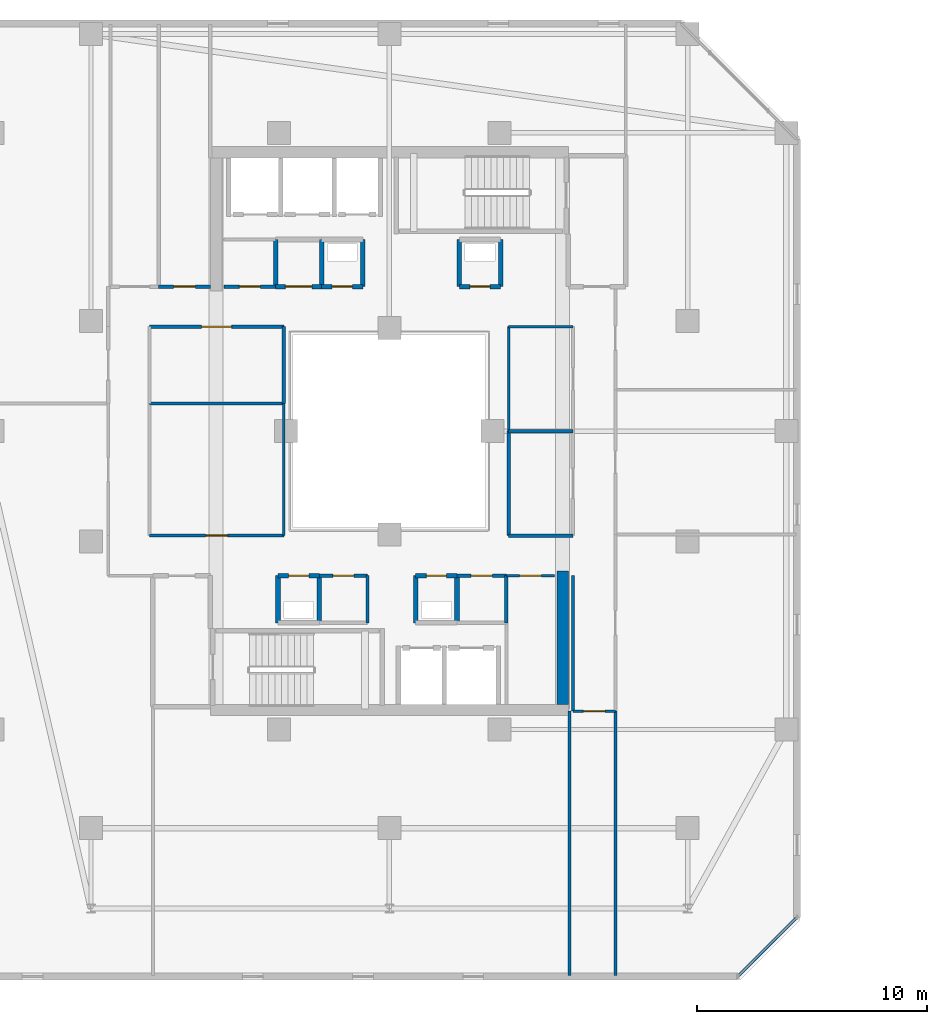
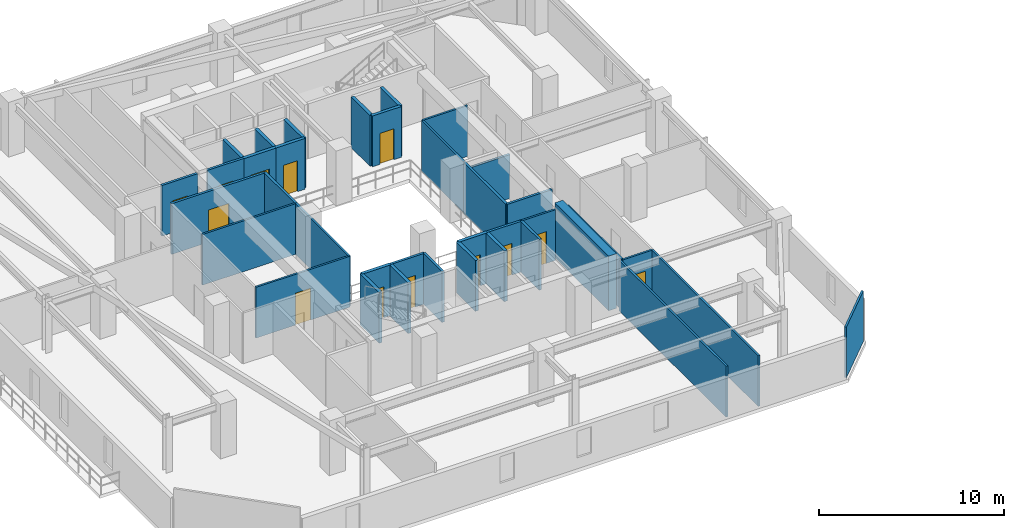
# One storey, part 19 of 32: 37 walls, 13 doors, 13 openings.
"""IFC4 building model written with IfcOpenShell, lengths in metres."""

from ifc_helpers import new_model, si_unit, direction, frame, frame_2d, origin, place, context, subcontext, project, spatial, rectangle, extrude, material, layer, layer_set, type_object, element, fill, save


model = new_model("IFC4")

# Units and contexts
model_context = context("Model", 3, precision=1e-05, world=origin(), true_north=direction((0.0, 1.0)))
body_context = subcontext(model_context, "Body", "Model", "MODEL_VIEW")
ifc_project = project(units=[si_unit("LENGTHUNIT", "METRE"), si_unit("AREAUNIT", "SQUARE_METRE"), si_unit("VOLUMEUNIT", "CUBIC_METRE"), si_unit("PLANEANGLEUNIT", "RADIAN"), si_unit("MASSUNIT", "GRAM", prefix="KILO")], contexts=[model_context])

# Site, building, storey
site_placement = place(None, origin())
site = spatial("IfcSite", under=ifc_project, at=site_placement, CompositionType="ELEMENT")
building_placement = place(site_placement, origin())
building = spatial("IfcBuilding", under=site, at=building_placement, Name="Thornwick Lancets Civic Towers", CompositionType="ELEMENT")
storey_placement = place(building_placement, frame((0.0, 0.0, 243.89990234375)))
storey = spatial("IfcBuildingStorey", under=building, at=storey_placement, Name="L65", CompositionType="ELEMENT", Elevation=243.89990234375)

# Wall
ifc_material_1 = material(Name="Concrete blockwork C40/50", Category="masonry")
ifc_layer_1 = layer(ifc_material_1, 0.199951171875, Name="Concrete blockwork C40/50")
ifc_layer_set_1 = layer_set([ifc_layer_1], Name="Concrete blockwork C40/50")
wall_type_1 = type_object("IfcWallType", Name="WALL_COMP_200", PredefinedType="STANDARD", material=ifc_layer_set_1)
wall_1_placement = place(storey_placement, frame((28.449951171875, 18.64990234375, 0.0), z_axis=(0.0, 0.0, 1.0), x_axis=(0.0, 1.0, 0.0)))
element("IfcWall", 1, at=wall_1_placement, inside=storey, type_object=wall_type_1, Name="L65 Partition L65-A-DUCT1 E2", PredefinedType="STANDARD", context=body_context, shape_type="SweptSolid", body=[
    extrude(rectangle(XDim=2.050048828125, YDim=0.199951171875, at=frame_2d((1.02490234375, 0.0))), origin(), (0.0, 0.0, 1.0), 3.340087890625),
])

# Wall, opening, door
wall_2_placement = place(storey_placement, frame((28.449951171875, 20.699951171875, 0.0), z_axis=(0.0, 0.0, 1.0), x_axis=(-1.0, 0.0, 0.0)))
wall_2 = element("IfcWall", 2, at=wall_2_placement, inside=storey, type_object=wall_type_1, Name="L65 Partition L65-A-DUCT1 E3", PredefinedType="STANDARD", context=body_context, shape_type="SweptSolid", body=[
    extrude(rectangle(XDim=1.800048828125, YDim=0.199951171875, at=frame_2d((0.89990234375, 0.0))), origin(), (0.0, 0.0, 1.0), 3.340087890625),
])
opening_1_placement = place(wall_2_placement, frame((0.4599609375, 0.0, 0.0)))
opening_1 = element("IfcOpeningElement", 3, at=opening_1_placement, cuts=wall_2, Name="Opening D-L65-2925", PredefinedType="OPENING", context=body_context, shape_type="SweptSolid", body=[
    extrude(rectangle(XDim=0.8798828125, YDim=2.0400390625, at=frame_2d((0.43994140625, 1.02001953125))), frame((0.0, 0.10986328125, 0.0), z_axis=(0.0, -1.0, 0.0), x_axis=(1.0, 0.0, 0.0)), (0.0, 0.0, 1.0), 0.219970703125),
])
ifc_material_2 = material(Name="Steel riser access doorset", Category="steel")
door_type_1 = type_object("IfcDoorType", Name="DOOR_RISER_850", OperationType="NOTDEFINED", PredefinedType="DOOR", material=ifc_material_2)
door_1_placement = place(opening_1_placement, origin())
door_1 = element("IfcDoor", 4, at=door_1_placement, inside=storey, type_object=door_type_1, Name="L65 South Service Duct 1 Door", OperationType="SINGLE_SWING_RIGHT", OverallHeight=2.0400390625, OverallWidth=0.8798828125, PredefinedType="DOOR", context=body_context, shape_type="SweptSolid", body=[
    extrude(rectangle(XDim=0.8798828125, YDim=2.0400390625, at=frame_2d((0.43994140625, 1.02001953125))), frame((0.0, 0.02490234375, 0.0), z_axis=(0.0, -1.0, 0.0), x_axis=(1.0, 0.0, 0.0)), (0.0, 0.0, 1.0), 0.050048828125),
])
fill(opening_1, door_1)

# Walls
for number, where, z_axis, x_axis, name in (
    (5, (26.64990234375, 20.699951171875, 0.0), (0.0, 0.0, 1.0), (0.0, -1.0, 0.0), "L65 Partition L65-A-DUCT1 E4"),
    (6, (22.449951171875, 18.64990234375, 0.0), (0.0, 0.0, 1.0), (0.0, 1.0, 0.0), "L65 Partition L65-A-RISER1 E2"),
):
    element("IfcWall", number, at=place(storey_placement, frame(where, z_axis=z_axis, x_axis=x_axis)), inside=storey, type_object=wall_type_1, Name=name, PredefinedType="STANDARD", context=body_context, shape_type="SweptSolid", body=[
        extrude(rectangle(XDim=2.050048828125, YDim=0.199951171875, at=frame_2d((1.02490234375, 0.0))), origin(), (0.0, 0.0, 1.0), 3.340087890625),
    ])

# Wall, opening, door
wall_3_placement = place(storey_placement, frame((22.449951171875, 20.699951171875, 0.0), z_axis=(0.0, 0.0, 1.0), x_axis=(-1.0, 0.0, 0.0)))
wall_3 = element("IfcWall", 7, at=wall_3_placement, inside=storey, type_object=wall_type_1, Name="L65 Partition L65-A-RISER1 E3", PredefinedType="STANDARD", context=body_context, shape_type="SweptSolid", body=[
    extrude(rectangle(XDim=1.800048828125, YDim=0.199951171875, at=frame_2d((0.89990234375, 0.0))), origin(), (0.0, 0.0, 1.0), 3.340087890625),
])
opening_2_placement = place(wall_3_placement, frame((0.4599609375, 0.0, 0.0)))
opening_2 = element("IfcOpeningElement", 8, at=opening_2_placement, cuts=wall_3, Name="Opening D-L65-2926", PredefinedType="OPENING", context=body_context, shape_type="SweptSolid", body=[
    extrude(rectangle(XDim=0.8798828125, YDim=2.0400390625, at=frame_2d((0.43994140625, 1.02001953125))), frame((0.0, 0.10986328125, 0.0), z_axis=(0.0, -1.0, 0.0), x_axis=(1.0, 0.0, 0.0)), (0.0, 0.0, 1.0), 0.219970703125),
])
door_2_placement = place(opening_2_placement, origin())
door_2 = element("IfcDoor", 9, at=door_2_placement, inside=storey, type_object=door_type_1, Name="L65 South Electrical Riser 1 Door", OperationType="SINGLE_SWING_LEFT", OverallHeight=2.0400390625, OverallWidth=0.8798828125, PredefinedType="DOOR", context=body_context, shape_type="SweptSolid", body=[
    extrude(rectangle(XDim=0.8798828125, YDim=2.0400390625, at=frame_2d((0.43994140625, 1.02001953125))), frame((0.0, 0.02490234375, 0.0), z_axis=(0.0, -1.0, 0.0), x_axis=(1.0, 0.0, 0.0)), (0.0, 0.0, 1.0), 0.050048828125),
])
fill(opening_2, door_2)

# Wall
wall_4_placement = place(storey_placement, frame((20.64990234375, 20.699951171875, 0.0), z_axis=(0.0, 0.0, 1.0), x_axis=(0.0, -1.0, 0.0)))
element("IfcWall", 10, at=wall_4_placement, inside=storey, type_object=wall_type_1, Name="L65 Partition L65-A-RISER1 E4", PredefinedType="STANDARD", context=body_context, shape_type="SweptSolid", body=[
    extrude(rectangle(XDim=2.050048828125, YDim=0.199951171875, at=frame_2d((1.02490234375, 0.0))), origin(), (0.0, 0.0, 1.0), 3.340087890625),
])

# Wall, opening, door
wall_5_placement = place(storey_placement, frame((22.550048828125, 33.300048828125, 0.0), z_axis=(0.0, 0.0, 1.0), x_axis=(1.0, 0.0, 0.0)))
wall_5 = element("IfcWall", 11, at=wall_5_placement, inside=storey, type_object=wall_type_1, Name="L65 Partition L65-A-DUCT2 E1", PredefinedType="STANDARD", context=body_context, shape_type="SweptSolid", body=[
    extrude(rectangle(XDim=1.800048828125, YDim=0.199951171875, at=frame_2d((0.89990234375, 0.0))), origin(), (0.0, 0.0, 1.0), 3.340087890625),
])
opening_3_placement = place(wall_5_placement, frame((0.4599609375, 0.0, 0.0)))
opening_3 = element("IfcOpeningElement", 12, at=opening_3_placement, cuts=wall_5, Name="Opening D-L65-2927", PredefinedType="OPENING", context=body_context, shape_type="SweptSolid", body=[
    extrude(rectangle(XDim=0.8798828125, YDim=2.0400390625, at=frame_2d((0.43994140625, 1.02001953125))), frame((0.0, 0.10986328125, 0.0), z_axis=(0.0, -1.0, 0.0), x_axis=(1.0, 0.0, 0.0)), (0.0, 0.0, 1.0), 0.219970703125),
])
door_3_placement = place(opening_3_placement, origin())
door_3 = element("IfcDoor", 13, at=door_3_placement, inside=storey, type_object=door_type_1, Name="L65 North Service Duct 2 Door", OperationType="SINGLE_SWING_RIGHT", OverallHeight=2.0400390625, OverallWidth=0.8798828125, PredefinedType="DOOR", context=body_context, shape_type="SweptSolid", body=[
    extrude(rectangle(XDim=0.8798828125, YDim=2.0400390625, at=frame_2d((0.43994140625, 1.02001953125))), frame((0.0, 0.02490234375, 0.0), z_axis=(0.0, -1.0, 0.0), x_axis=(1.0, 0.0, 0.0)), (0.0, 0.0, 1.0), 0.050048828125),
])
fill(opening_3, door_3)

# Walls
for number, where, z_axis, x_axis, name in (
    (14, (24.35009765625, 33.300048828125, 0.0), (0.0, 0.0, 1.0), (0.0, 1.0, 0.0), "L65 Partition L65-A-DUCT2 E2"),
    (15, (22.550048828125, 35.35009765625, 0.0), (0.0, 0.0, 1.0), (0.0, -1.0, 0.0), "L65 Partition L65-A-DUCT2 E4"),
):
    element("IfcWall", number, at=place(storey_placement, frame(where, z_axis=z_axis, x_axis=x_axis)), inside=storey, type_object=wall_type_1, Name=name, PredefinedType="STANDARD", context=body_context, shape_type="SweptSolid", body=[
        extrude(rectangle(XDim=2.050048828125, YDim=0.199951171875, at=frame_2d((1.02490234375, 0.0))), origin(), (0.0, 0.0, 1.0), 3.340087890625),
    ])

# Wall, opening, door
wall_6_placement = place(storey_placement, frame((28.550048828125, 33.300048828125, 0.0), z_axis=(0.0, 0.0, 1.0), x_axis=(1.0, 0.0, 0.0)))
wall_6 = element("IfcWall", 16, at=wall_6_placement, inside=storey, type_object=wall_type_1, Name="L65 Partition L65-A-RISER2 E1", PredefinedType="STANDARD", context=body_context, shape_type="SweptSolid", body=[
    extrude(rectangle(XDim=1.800048828125, YDim=0.199951171875, at=frame_2d((0.89990234375, 0.0))), origin(), (0.0, 0.0, 1.0), 3.340087890625),
])
opening_4_placement = place(wall_6_placement, frame((0.4599609375, 0.0, 0.0)))
opening_4 = element("IfcOpeningElement", 17, at=opening_4_placement, cuts=wall_6, Name="Opening D-L65-2928", PredefinedType="OPENING", context=body_context, shape_type="SweptSolid", body=[
    extrude(rectangle(XDim=0.8798828125, YDim=2.0400390625, at=frame_2d((0.43994140625, 1.02001953125))), frame((0.0, 0.10986328125, 0.0), z_axis=(0.0, -1.0, 0.0), x_axis=(1.0, 0.0, 0.0)), (0.0, 0.0, 1.0), 0.219970703125),
])
door_4_placement = place(opening_4_placement, origin())
door_4 = element("IfcDoor", 18, at=door_4_placement, inside=storey, type_object=door_type_1, Name="L65 North Service Riser 2 Door", OperationType="SINGLE_SWING_LEFT", OverallHeight=2.0400390625, OverallWidth=0.8798828125, PredefinedType="DOOR", context=body_context, shape_type="SweptSolid", body=[
    extrude(rectangle(XDim=0.8798828125, YDim=2.0400390625, at=frame_2d((0.43994140625, 1.02001953125))), frame((0.0, 0.02490234375, 0.0), z_axis=(0.0, -1.0, 0.0), x_axis=(1.0, 0.0, 0.0)), (0.0, 0.0, 1.0), 0.050048828125),
])
fill(opening_4, door_4)

# Walls
for number, where, z_axis, x_axis, name in (
    (19, (30.35009765625, 33.300048828125, 0.0), (0.0, 0.0, 1.0), (0.0, 1.0, 0.0), "L65 Partition L65-A-RISER2 E2"),
    (20, (28.550048828125, 35.35009765625, 0.0), (0.0, 0.0, 1.0), (0.0, -1.0, 0.0), "L65 Partition L65-A-RISER2 E4"),
    (21, (20.550048828125, 33.300048828125, 0.0), (0.0, 0.0, 1.0), (0.0, 1.0, 0.0), "L65 Partition L65-A-STR E1"),
):
    element("IfcWall", number, at=place(storey_placement, frame(where, z_axis=z_axis, x_axis=x_axis)), inside=storey, type_object=wall_type_1, Name=name, PredefinedType="STANDARD", context=body_context, shape_type="SweptSolid", body=[
        extrude(rectangle(XDim=2.050048828125, YDim=0.199951171875, at=frame_2d((1.02490234375, 0.0))), origin(), (0.0, 0.0, 1.0), 3.340087890625),
    ])

# Wall, opening, door
wall_7_placement = place(storey_placement, frame((22.550048828125, 33.300048828125, 0.0), z_axis=(0.0, 0.0, 1.0), x_axis=(-1.0, 0.0, 0.0)))
wall_7 = element("IfcWall", 22, at=wall_7_placement, inside=storey, type_object=wall_type_1, Name="L65 Partition L65-A-STR E4", PredefinedType="STANDARD", context=body_context, shape_type="SweptSolid", body=[
    extrude(rectangle(XDim=2.0, YDim=0.199951171875, at=frame_2d((1.0, 0.0))), origin(), (0.0, 0.0, 1.0), 3.340087890625),
])
opening_5_placement = place(wall_7_placement, frame((0.425048828125, 0.0, 0.0)))
opening_5 = element("IfcOpeningElement", 23, at=opening_5_placement, cuts=wall_7, Name="Opening D-L65-2933", PredefinedType="OPENING", context=body_context, shape_type="SweptSolid", body=[
    extrude(rectangle(XDim=1.14990234375, YDim=2.10009765625, at=frame_2d((0.574951171875, 1.050048828125))), frame((0.0, 0.10986328125, 0.0), z_axis=(0.0, -1.0, 0.0), x_axis=(1.0, 0.0, 0.0)), (0.0, 0.0, 1.0), 0.219970703125),
])
ifc_material_3 = material(Name="Glazed fire-resisting steel", Category="steel")
door_type_2 = type_object("IfcDoorType", Name="DOOR_LOBBY_FD60", OperationType="NOTDEFINED", PredefinedType="DOOR", material=ifc_material_3)
door_5_placement = place(opening_5_placement, origin())
door_5 = element("IfcDoor", 24, at=door_5_placement, inside=storey, type_object=door_type_2, Name="L65 Tower A Core Records Store Door", OperationType="SINGLE_SWING_RIGHT", OverallHeight=2.10009765625, OverallWidth=1.14990234375, PredefinedType="DOOR", context=body_context, shape_type="SweptSolid", body=[
    extrude(rectangle(XDim=1.14990234375, YDim=2.10009765625, at=frame_2d((0.574951171875, 1.050048828125))), frame((0.0, 0.02490234375, 0.0), z_axis=(0.0, -1.0, 0.0), x_axis=(1.0, 0.0, 0.0)), (0.0, 0.0, 1.0), 0.050048828125),
])
fill(opening_5, door_5)

# Wall
ifc_material_4 = material(Name="Concrete C50/60", Category="concrete")
ifc_layer_2 = layer(ifc_material_4, 0.5, Name="Concrete C50/60")
ifc_layer_set_2 = layer_set([ifc_layer_2], Name="Concrete C50/60")
wall_type_2 = type_object("IfcWallType", Name="WALL_CORE_500", PredefinedType="SHEAR", material=ifc_layer_set_2)
wall_8_placement = place(storey_placement, frame((33.050048828125, 15.10009765625, 0.0), z_axis=(0.0, 0.0, 1.0), x_axis=(0.0, 1.0, 0.0)))
element("IfcWall", 25, at=wall_8_placement, inside=storey, type_object=wall_type_2, Name="L65 Split Core A1 Shear Wall E", PredefinedType="SHEAR", context=body_context, shape_type="SweptSolid", body=[
    extrude(rectangle(XDim=5.7998046875, YDim=0.5, at=frame_2d((2.89990234375, 0.0))), origin(), (0.0, 0.0, 1.0), 3.60009765625),
])

# Wall, opening, door
ifc_material_5 = material(Name="Acoustic gypsum board partition")
ifc_layer_3 = layer(ifc_material_5, 0.1201171875, Name="Acoustic gypsum board partition")
ifc_layer_set_3 = layer_set([ifc_layer_3], Name="Acoustic gypsum board partition")
wall_type_3 = type_object("IfcWallType", Name="WALL_PART_120", PredefinedType="PARTITIONING", material=ifc_layer_set_3)
wall_9_placement = place(storey_placement, frame((30.60009765625, 20.699951171875, 0.0), z_axis=(0.0, 0.0, 1.0), x_axis=(1.0, 0.0, 0.0)))
wall_9 = element("IfcWall", 26, at=wall_9_placement, inside=storey, type_object=wall_type_3, Name="L65 Partition L65-A-ITR E5", PredefinedType="PARTITIONING", context=body_context, shape_type="SweptSolid", body=[
    extrude(rectangle(XDim=2.099853515625, YDim=0.1201171875, at=frame_2d((1.0498046875, 0.0))), origin(), (0.0, 0.0, 1.0), 3.340087890625),
])
opening_6_placement = place(wall_9_placement, frame((0.574951171875, 0.0, 0.0)))
opening_6 = element("IfcOpeningElement", 27, at=opening_6_placement, cuts=wall_9, Name="Opening D-L65-2931", PredefinedType="OPENING", context=body_context, shape_type="SweptSolid", body=[
    extrude(rectangle(XDim=0.949951171875, YDim=2.10009765625, at=frame_2d((0.47509765625, 1.050048828125))), frame((0.0, 0.070068359375, 0.0), z_axis=(0.0, -1.0, 0.0), x_axis=(1.0, 0.0, 0.0)), (0.0, 0.0, 1.0), 0.14013671875),
])
ifc_material_6 = material(Name="European oak acoustic doorset")
door_type_3 = type_object("IfcDoorType", Name="DOOR_OFFICE_950", OperationType="NOTDEFINED", PredefinedType="DOOR", material=ifc_material_6)
door_6_placement = place(opening_6_placement, origin())
door_6 = element("IfcDoor", 28, at=door_6_placement, inside=storey, type_object=door_type_3, Name="L65 Tower A Comms Patch Room Door", OperationType="SINGLE_SWING_RIGHT", OverallHeight=2.10009765625, OverallWidth=0.949951171875, PredefinedType="DOOR", context=body_context, shape_type="SweptSolid", body=[
    extrude(rectangle(XDim=0.949951171875, YDim=2.10009765625, at=frame_2d((0.47509765625, 1.050048828125))), frame((0.0, 0.02490234375, 0.0), z_axis=(0.0, -1.0, 0.0), x_axis=(1.0, 0.0, 0.0)), (0.0, 0.0, 1.0), 0.050048828125),
])
fill(opening_6, door_6)

# Wall
wall_10_placement = place(storey_placement, frame((33.5, 20.699951171875, 0.0), z_axis=(0.0, 0.0, 1.0), x_axis=(0.0, -1.0, 0.0)))
element("IfcWall", 29, at=wall_10_placement, inside=storey, type_object=wall_type_3, Name="L65 Partition L65-A-RECLAIM-L E1", PredefinedType="PARTITIONING", context=body_context, shape_type="SweptSolid", body=[
    extrude(rectangle(XDim=5.89990234375, YDim=0.1201171875, at=frame_2d((2.949951171875, 0.0))), origin(), (0.0, 0.0, 1.0), 3.340087890625),
])

# Wall, opening, door
wall_11_placement = place(storey_placement, frame((33.5, 14.800048828125, 0.0), z_axis=(0.0, 0.0, 1.0), x_axis=(1.0, 0.0, 0.0)))
wall_11 = element("IfcWall", 30, at=wall_11_placement, inside=storey, type_object=wall_type_3, Name="L65 Partition L65-A-RECLAIM-L E2", PredefinedType="PARTITIONING", context=body_context, shape_type="SweptSolid", body=[
    extrude(rectangle(XDim=1.85009765625, YDim=0.1201171875, at=frame_2d((0.925048828125, 0.0))), origin(), (0.0, 0.0, 1.0), 3.340087890625),
])
opening_7_placement = place(wall_11_placement, frame((0.449951171875, 0.0, 0.0)))
opening_7 = element("IfcOpeningElement", 31, at=opening_7_placement, cuts=wall_11, Name="Opening D-L65-2945", PredefinedType="OPENING", context=body_context, shape_type="SweptSolid", body=[
    extrude(rectangle(XDim=0.949951171875, YDim=2.10009765625, at=frame_2d((0.47509765625, 1.050048828125))), frame((0.0, 0.070068359375, 0.0), z_axis=(0.0, -1.0, 0.0), x_axis=(1.0, 0.0, 0.0)), (0.0, 0.0, 1.0), 0.14013671875),
])
door_7_placement = place(opening_7_placement, origin())
door_7 = element("IfcDoor", 32, at=door_7_placement, inside=storey, type_object=door_type_3, Name="L65 Tower A Parliamentary Drafting Library Door", OperationType="SINGLE_SWING_RIGHT", OverallHeight=2.10009765625, OverallWidth=0.949951171875, PredefinedType="DOOR", context=body_context, shape_type="SweptSolid", body=[
    extrude(rectangle(XDim=0.949951171875, YDim=2.10009765625, at=frame_2d((0.47509765625, 1.050048828125))), frame((0.0, 0.02490234375, 0.0), z_axis=(0.0, -1.0, 0.0), x_axis=(1.0, 0.0, 0.0)), (0.0, 0.0, 1.0), 0.050048828125),
])
fill(opening_7, door_7)

# Walls
for number, where, z_axis, x_axis, name in (
    (33, (35.35009765625, 14.800048828125, 0.0), (0.0, 0.0, 1.0), (0.0, -1.0, 0.0), "L65 Partition L65-A-RECLAIM-L E3"),
    (34, (33.35009765625, 3.280029296875, 0.0), (0.0, 0.0, 1.0), (0.0, 1.0, 0.0), "L65 Partition L65-A-RECLAIM-L E5"),
):
    element("IfcWall", number, at=place(storey_placement, frame(where, z_axis=z_axis, x_axis=x_axis)), inside=storey, type_object=wall_type_3, Name=name, PredefinedType="PARTITIONING", context=body_context, shape_type="SweptSolid", body=[
        extrude(rectangle(XDim=11.52001953125, YDim=0.1201171875, at=frame_2d((5.760009765625, 0.0))), origin(), (0.0, 0.0, 1.0), 3.340087890625),
    ])
wall_12_placement = place(storey_placement, frame((15.050048828125, 28.199951171875, 0.0), z_axis=(0.0, 0.0, 1.0), x_axis=(1.0, 0.0, 0.0)))
element("IfcWall", 35, at=wall_12_placement, inside=storey, type_object=wall_type_3, Name="L65 Partition L65-A-W3 E2", PredefinedType="PARTITIONING", context=body_context, shape_type="SweptSolid", body=[
    extrude(rectangle(XDim=5.849853515625, YDim=0.1201171875, at=frame_2d((2.9248046875, 0.0))), origin(), (0.0, 0.0, 1.0), 3.340087890625),
])
wall_13_placement = place(storey_placement, frame((20.89990234375, 28.199951171875, 0.0), z_axis=(0.0, 0.0, 1.0), x_axis=(0.0, -1.0, 0.0)))
element("IfcWall", 36, at=wall_13_placement, inside=storey, type_object=wall_type_3, Name="L65 Partition L65-A-W3 E3", PredefinedType="PARTITIONING", context=body_context, shape_type="SweptSolid", body=[
    extrude(rectangle(XDim=5.75, YDim=0.1201171875, at=frame_2d((2.875, 0.0))), origin(), (0.0, 0.0, 1.0), 3.340087890625),
])

# Wall, opening, door
wall_14_placement = place(storey_placement, frame((20.89990234375, 22.449951171875, 0.0), z_axis=(0.0, 0.0, 1.0), x_axis=(-1.0, 0.0, 0.0)))
wall_14 = element("IfcWall", 37, at=wall_14_placement, inside=storey, type_object=wall_type_3, Name="L65 Partition L65-A-W3 E4", PredefinedType="PARTITIONING", context=body_context, shape_type="SweptSolid", body=[
    extrude(rectangle(XDim=5.849853515625, YDim=0.1201171875, at=frame_2d((2.9248046875, 0.0))), origin(), (0.0, 0.0, 1.0), 3.340087890625),
])
opening_8_placement = place(wall_14_placement, frame((2.449951171875, 0.0, 0.0)))
opening_8 = element("IfcOpeningElement", 38, at=opening_8_placement, cuts=wall_14, Name="Opening D-L65-2950", PredefinedType="OPENING", context=body_context, shape_type="SweptSolid", body=[
    extrude(rectangle(XDim=0.949951171875, YDim=2.10009765625, at=frame_2d((0.47509765625, 1.050048828125))), frame((0.0, 0.070068359375, 0.0), z_axis=(0.0, -1.0, 0.0), x_axis=(1.0, 0.0, 0.0)), (0.0, 0.0, 1.0), 0.14013671875),
])
door_8_placement = place(opening_8_placement, origin())
door_8 = element("IfcDoor", 39, at=door_8_placement, inside=storey, type_object=door_type_3, Name="L65 Tower A Staff Tea Pantry and Lounge Door", OperationType="SINGLE_SWING_LEFT", OverallHeight=2.10009765625, OverallWidth=0.949951171875, PredefinedType="DOOR", context=body_context, shape_type="SweptSolid", body=[
    extrude(rectangle(XDim=0.949951171875, YDim=2.10009765625, at=frame_2d((0.47509765625, 1.050048828125))), frame((0.0, 0.02490234375, 0.0), z_axis=(0.0, -1.0, 0.0), x_axis=(1.0, 0.0, 0.0)), (0.0, 0.0, 1.0), 0.050048828125),
])
fill(opening_8, door_8)

# Walls
wall_15_placement = place(storey_placement, frame((43.219970703125, 5.774658203125, 0.0), z_axis=(0.0, 0.0, 1.0), x_axis=(-0.707106781187, -0.707106781187, 0.0)))
element("IfcWall", 40, at=wall_15_placement, inside=storey, type_object=wall_type_3, Name="L65 Partition L65-A-E1 E6", PredefinedType="PARTITIONING", context=body_context, shape_type="SweptSolid", body=[
    extrude(rectangle(XDim=3.52783203125, YDim=0.1201171875, at=frame_2d((1.763916015625, 0.0))), origin(), (0.0, 0.0, 1.0), 3.340087890625),
])
wall_16_placement = place(storey_placement, frame((30.699951171875, 27.0, 0.0), z_axis=(0.0, 0.0, 1.0), x_axis=(0.0, 1.0, 0.0)))
element("IfcWall", 41, at=wall_16_placement, inside=storey, type_object=wall_type_3, Name="L65 Partition L65-A-E-ATR-2 E1", PredefinedType="PARTITIONING", context=body_context, shape_type="SweptSolid", body=[
    extrude(rectangle(XDim=4.550048828125, YDim=0.1201171875, at=frame_2d((2.27490234375, 0.0))), origin(), (0.0, 0.0, 1.0), 3.340087890625),
])
wall_17_placement = place(storey_placement, frame((30.699951171875, 31.550048828125, 0.0), z_axis=(0.0, 0.0, 1.0), x_axis=(1.0, 0.0, 0.0)))
element("IfcWall", 42, at=wall_17_placement, inside=storey, type_object=wall_type_3, Name="L65 Partition L65-A-E-ATR-2 E2", PredefinedType="PARTITIONING", context=body_context, shape_type="SweptSolid", body=[
    extrude(rectangle(XDim=2.800048828125, YDim=0.1201171875, at=frame_2d((1.39990234375, 0.0))), origin(), (0.0, 0.0, 1.0), 3.340087890625),
])
ifc_material_7 = material(Name="Twin-stud acoustic gypsum board")
ifc_layer_4 = layer(ifc_material_7, 0.14990234375, Name="Twin-stud acoustic gypsum board")
ifc_layer_set_4 = layer_set([ifc_layer_4], Name="Twin-stud acoustic gypsum board")
wall_type_4 = type_object("IfcWallType", Name="WALL_PART_150", PredefinedType="PARTITIONING", material=ifc_layer_set_4)
wall_18_placement = place(storey_placement, frame((24.550048828125, 20.699951171875, 0.0), z_axis=(0.0, 0.0, 1.0), x_axis=(0.0, -1.0, 0.0)))
element("IfcWall", 43, at=wall_18_placement, inside=storey, type_object=wall_type_4, Name="L65 Partition L65-A-MWC E1", PredefinedType="PARTITIONING", context=body_context, shape_type="SweptSolid", body=[
    extrude(rectangle(XDim=2.050048828125, YDim=0.14990234375, at=frame_2d((1.02490234375, 0.0))), origin(), (0.0, 0.0, 1.0), 3.340087890625),
])

# Wall, opening, door
wall_19_placement = place(storey_placement, frame((22.449951171875, 20.699951171875, 0.0), z_axis=(0.0, 0.0, 1.0), x_axis=(1.0, 0.0, 0.0)))
wall_19 = element("IfcWall", 44, at=wall_19_placement, inside=storey, type_object=wall_type_4, Name="L65 Partition L65-A-MWC E4", PredefinedType="PARTITIONING", context=body_context, shape_type="SweptSolid", body=[
    extrude(rectangle(XDim=2.10009765625, YDim=0.14990234375, at=frame_2d((1.050048828125, 0.0))), origin(), (0.0, 0.0, 1.0), 3.340087890625),
])
opening_9_placement = place(wall_19_placement, frame((0.590087890625, 0.0, 0.0)))
opening_9 = element("IfcOpeningElement", 45, at=opening_9_placement, cuts=wall_19, Name="Opening D-L65-2929", PredefinedType="OPENING", context=body_context, shape_type="SweptSolid", body=[
    extrude(rectangle(XDim=0.919921875, YDim=2.080078125, at=frame_2d((0.4599609375, 1.0400390625))), frame((0.0, 0.0849609375, 0.0), z_axis=(0.0, -1.0, 0.0), x_axis=(1.0, 0.0, 0.0)), (0.0, 0.0, 1.0), 0.169921875),
])
ifc_material_8 = material(Name="Moisture-resistant oak doorset")
door_type_4 = type_object("IfcDoorType", Name="DOOR_WC_900", OperationType="NOTDEFINED", PredefinedType="DOOR", material=ifc_material_8)
door_9_placement = place(opening_9_placement, origin())
door_9 = element("IfcDoor", 46, at=door_9_placement, inside=storey, type_object=door_type_4, Name="L65 Tower A Male WC Door", OperationType="SINGLE_SWING_RIGHT", OverallHeight=2.080078125, OverallWidth=0.919921875, PredefinedType="DOOR", context=body_context, shape_type="SweptSolid", body=[
    extrude(rectangle(XDim=0.919921875, YDim=2.080078125, at=frame_2d((0.4599609375, 1.0400390625))), frame((0.0, 0.02490234375, 0.0), z_axis=(0.0, -1.0, 0.0), x_axis=(1.0, 0.0, 0.0)), (0.0, 0.0, 1.0), 0.050048828125),
])
fill(opening_9, door_9)

# Wall
wall_20_placement = place(storey_placement, frame((30.60009765625, 20.699951171875, 0.0), z_axis=(0.0, 0.0, 1.0), x_axis=(0.0, -1.0, 0.0)))
element("IfcWall", 47, at=wall_20_placement, inside=storey, type_object=wall_type_4, Name="L65 Partition L65-A-FWC E1", PredefinedType="PARTITIONING", context=body_context, shape_type="SweptSolid", body=[
    extrude(rectangle(XDim=2.050048828125, YDim=0.14990234375, at=frame_2d((1.02490234375, 0.0))), origin(), (0.0, 0.0, 1.0), 3.340087890625),
])

# Wall, opening, door
wall_21_placement = place(storey_placement, frame((28.449951171875, 20.699951171875, 0.0), z_axis=(0.0, 0.0, 1.0), x_axis=(1.0, 0.0, 0.0)))
wall_21 = element("IfcWall", 48, at=wall_21_placement, inside=storey, type_object=wall_type_4, Name="L65 Partition L65-A-FWC E4", PredefinedType="PARTITIONING", context=body_context, shape_type="SweptSolid", body=[
    extrude(rectangle(XDim=2.150146484375, YDim=0.14990234375, at=frame_2d((1.0751953125, 0.0))), origin(), (0.0, 0.0, 1.0), 3.340087890625),
])
opening_10_placement = place(wall_21_placement, frame((0.614990234375, 0.0, 0.0)))
opening_10 = element("IfcOpeningElement", 49, at=opening_10_placement, cuts=wall_21, Name="Opening D-L65-2930", PredefinedType="OPENING", context=body_context, shape_type="SweptSolid", body=[
    extrude(rectangle(XDim=0.919921875, YDim=2.080078125, at=frame_2d((0.4599609375, 1.0400390625))), frame((0.0, 0.0849609375, 0.0), z_axis=(0.0, -1.0, 0.0), x_axis=(1.0, 0.0, 0.0)), (0.0, 0.0, 1.0), 0.169921875),
])
door_10_placement = place(opening_10_placement, origin())
door_10 = element("IfcDoor", 50, at=door_10_placement, inside=storey, type_object=door_type_4, Name="L65 Tower A Female WC Door", OperationType="SINGLE_SWING_LEFT", OverallHeight=2.080078125, OverallWidth=0.919921875, PredefinedType="DOOR", context=body_context, shape_type="SweptSolid", body=[
    extrude(rectangle(XDim=0.919921875, YDim=2.080078125, at=frame_2d((0.4599609375, 1.0400390625))), frame((0.0, 0.02490234375, 0.0), z_axis=(0.0, -1.0, 0.0), x_axis=(1.0, 0.0, 0.0)), (0.0, 0.0, 1.0), 0.050048828125),
])
fill(opening_10, door_10)

wall_22_placement = place(storey_placement, frame((18.300048828125, 33.300048828125, 0.0), z_axis=(0.0, 0.0, 1.0), x_axis=(1.0, 0.0, 0.0)))
wall_22 = element("IfcWall", 51, at=wall_22_placement, inside=storey, type_object=wall_type_4, Name="L65 Partition L65-A-AWC E1", PredefinedType="PARTITIONING", context=body_context, shape_type="SweptSolid", body=[
    extrude(rectangle(XDim=2.25, YDim=0.14990234375, at=frame_2d((1.125, 0.0))), origin(), (0.0, 0.0, 1.0), 3.340087890625),
])
opening_11_placement = place(wall_22_placement, frame((0.6650390625, 0.0, 0.0)))
opening_11 = element("IfcOpeningElement", 52, at=opening_11_placement, cuts=wall_22, Name="Opening D-L65-2932", PredefinedType="OPENING", context=body_context, shape_type="SweptSolid", body=[
    extrude(rectangle(XDim=0.919921875, YDim=2.080078125, at=frame_2d((0.4599609375, 1.0400390625))), frame((0.0, 0.0849609375, 0.0), z_axis=(0.0, -1.0, 0.0), x_axis=(1.0, 0.0, 0.0)), (0.0, 0.0, 1.0), 0.169921875),
])
door_11_placement = place(opening_11_placement, origin())
door_11 = element("IfcDoor", 53, at=door_11_placement, inside=storey, type_object=door_type_4, Name="L65 Tower A Accessible WC Door", OperationType="SINGLE_SWING_LEFT", OverallHeight=2.080078125, OverallWidth=0.919921875, PredefinedType="DOOR", context=body_context, shape_type="SweptSolid", body=[
    extrude(rectangle(XDim=0.919921875, YDim=2.080078125, at=frame_2d((0.4599609375, 1.0400390625))), frame((0.0, 0.02490234375, 0.0), z_axis=(0.0, -1.0, 0.0), x_axis=(1.0, 0.0, 0.0)), (0.0, 0.0, 1.0), 0.050048828125),
])
fill(opening_11, door_11)

wall_23_placement = place(storey_placement, frame((17.699951171875, 33.300048828125, 0.0), z_axis=(0.0, 0.0, 1.0), x_axis=(-1.0, 0.0, 0.0)))
wall_23 = element("IfcWall", 54, at=wall_23_placement, inside=storey, type_object=wall_type_4, Name="L65 Partition L65-A-RECLAIM-M2 E4", PredefinedType="PARTITIONING", context=body_context, shape_type="SweptSolid", body=[
    extrude(rectangle(XDim=2.25, YDim=0.14990234375, at=frame_2d((1.125, 0.0))), origin(), (0.0, 0.0, 1.0), 3.340087890625),
])
opening_12_placement = place(wall_23_placement, frame((0.64990234375, 0.0, 0.0)))
opening_12 = element("IfcOpeningElement", 55, at=opening_12_placement, cuts=wall_23, Name="Opening D-L65-2947", PredefinedType="OPENING", context=body_context, shape_type="SweptSolid", body=[
    extrude(rectangle(XDim=0.949951171875, YDim=2.10009765625, at=frame_2d((0.47509765625, 1.050048828125))), frame((0.0, 0.0849609375, 0.0), z_axis=(0.0, -1.0, 0.0), x_axis=(1.0, 0.0, 0.0)), (0.0, 0.0, 1.0), 0.169921875),
])
door_12_placement = place(opening_12_placement, origin())
door_12 = element("IfcDoor", 56, at=door_12_placement, inside=storey, type_object=door_type_3, Name="L65 Tower A Executive Records Archive Door", OperationType="SINGLE_SWING_RIGHT", OverallHeight=2.10009765625, OverallWidth=0.949951171875, PredefinedType="DOOR", context=body_context, shape_type="SweptSolid", body=[
    extrude(rectangle(XDim=0.949951171875, YDim=2.10009765625, at=frame_2d((0.47509765625, 1.050048828125))), frame((0.0, 0.02490234375, 0.0), z_axis=(0.0, -1.0, 0.0), x_axis=(1.0, 0.0, 0.0)), (0.0, 0.0, 1.0), 0.050048828125),
])
fill(opening_12, door_12)

wall_24_placement = place(storey_placement, frame((15.050048828125, 31.550048828125, 0.0), z_axis=(0.0, 0.0, 1.0), x_axis=(1.0, 0.0, 0.0)))
wall_24 = element("IfcWall", 57, at=wall_24_placement, inside=storey, type_object=wall_type_4, Name="L65 Partition L65-A-W4 E2", PredefinedType="PARTITIONING", context=body_context, shape_type="SweptSolid", body=[
    extrude(rectangle(XDim=5.849853515625, YDim=0.14990234375, at=frame_2d((2.9248046875, 0.0))), origin(), (0.0, 0.0, 1.0), 3.340087890625),
])
opening_13_placement = place(wall_24_placement, frame((2.27490234375, 0.0, 0.0)))
opening_13 = element("IfcOpeningElement", 58, at=opening_13_placement, cuts=wall_24, Name="Opening D-L65-2951", PredefinedType="OPENING", context=body_context, shape_type="SweptSolid", body=[
    extrude(rectangle(XDim=1.300048828125, YDim=2.1201171875, at=frame_2d((0.64990234375, 1.06005859375))), frame((0.0, 0.0849609375, 0.0), z_axis=(0.0, -1.0, 0.0), x_axis=(1.0, 0.0, 0.0)), (0.0, 0.0, 1.0), 0.169921875),
])
ifc_material_9 = material(Name="Acoustic oak leaf-and-a-half doorset")
door_type_5 = type_object("IfcDoorType", Name="DOOR_MEET_1300", OperationType="DOUBLE_DOOR_SINGLE_SWING", PredefinedType="DOOR", material=ifc_material_9)
door_13_placement = place(opening_13_placement, origin())
door_13 = element("IfcDoor", 59, at=door_13_placement, inside=storey, type_object=door_type_5, Name="L65 Tower A West Briefing Room W4 Door", OperationType="DOUBLE_DOOR_SINGLE_SWING", OverallHeight=2.1201171875, OverallWidth=1.300048828125, PredefinedType="DOOR", context=body_context, shape_type="SweptSolid", body=[
    extrude(rectangle(XDim=1.300048828125, YDim=2.1201171875, at=frame_2d((0.64990234375, 1.06005859375))), frame((0.0, 0.02490234375, 0.0), z_axis=(0.0, -1.0, 0.0), x_axis=(1.0, 0.0, 0.0)), (0.0, 0.0, 1.0), 0.050048828125),
])
fill(opening_13, door_13)

# Walls
wall_25_placement = place(storey_placement, frame((20.89990234375, 31.550048828125, 0.0), z_axis=(0.0, 0.0, 1.0), x_axis=(0.0, -1.0, 0.0)))
element("IfcWall", 60, at=wall_25_placement, inside=storey, type_object=wall_type_4, Name="L65 Partition L65-A-W4 E3", PredefinedType="PARTITIONING", context=body_context, shape_type="SweptSolid", body=[
    extrude(rectangle(XDim=3.35009765625, YDim=0.14990234375, at=frame_2d((1.675048828125, 0.0))), origin(), (0.0, 0.0, 1.0), 3.340087890625),
])
wall_26_placement = place(storey_placement, frame((30.699951171875, 22.449951171875, 0.0), z_axis=(0.0, 0.0, 1.0), x_axis=(0.0, 1.0, 0.0)))
element("IfcWall", 61, at=wall_26_placement, inside=storey, type_object=wall_type_4, Name="L65 Partition L65-A-E-ATR-1 E1", PredefinedType="PARTITIONING", context=body_context, shape_type="SweptSolid", body=[
    extrude(rectangle(XDim=4.550048828125, YDim=0.14990234375, at=frame_2d((2.27490234375, 0.0))), origin(), (0.0, 0.0, 1.0), 3.340087890625),
])
wall_27_placement = place(storey_placement, frame((30.699951171875, 27.0, 0.0), z_axis=(0.0, 0.0, 1.0), x_axis=(1.0, 0.0, 0.0)))
element("IfcWall", 62, at=wall_27_placement, inside=storey, type_object=wall_type_4, Name="L65 Partition L65-A-E-ATR-1 E2", PredefinedType="PARTITIONING", context=body_context, shape_type="SweptSolid", body=[
    extrude(rectangle(XDim=2.800048828125, YDim=0.14990234375, at=frame_2d((1.39990234375, 0.0))), origin(), (0.0, 0.0, 1.0), 2.8779296875),
])
wall_28_placement = place(storey_placement, frame((33.5, 22.449951171875, 0.0), z_axis=(0.0, 0.0, 1.0), x_axis=(-1.0, 0.0, 0.0)))
element("IfcWall", 63, at=wall_28_placement, inside=storey, type_object=wall_type_4, Name="L65 Partition L65-A-E-ATR-1 E4", PredefinedType="PARTITIONING", context=body_context, shape_type="SweptSolid", body=[
    extrude(rectangle(XDim=2.800048828125, YDim=0.14990234375, at=frame_2d((1.39990234375, 0.0))), origin(), (0.0, 0.0, 1.0), 3.340087890625),
])

save(model, "model.ifc")
